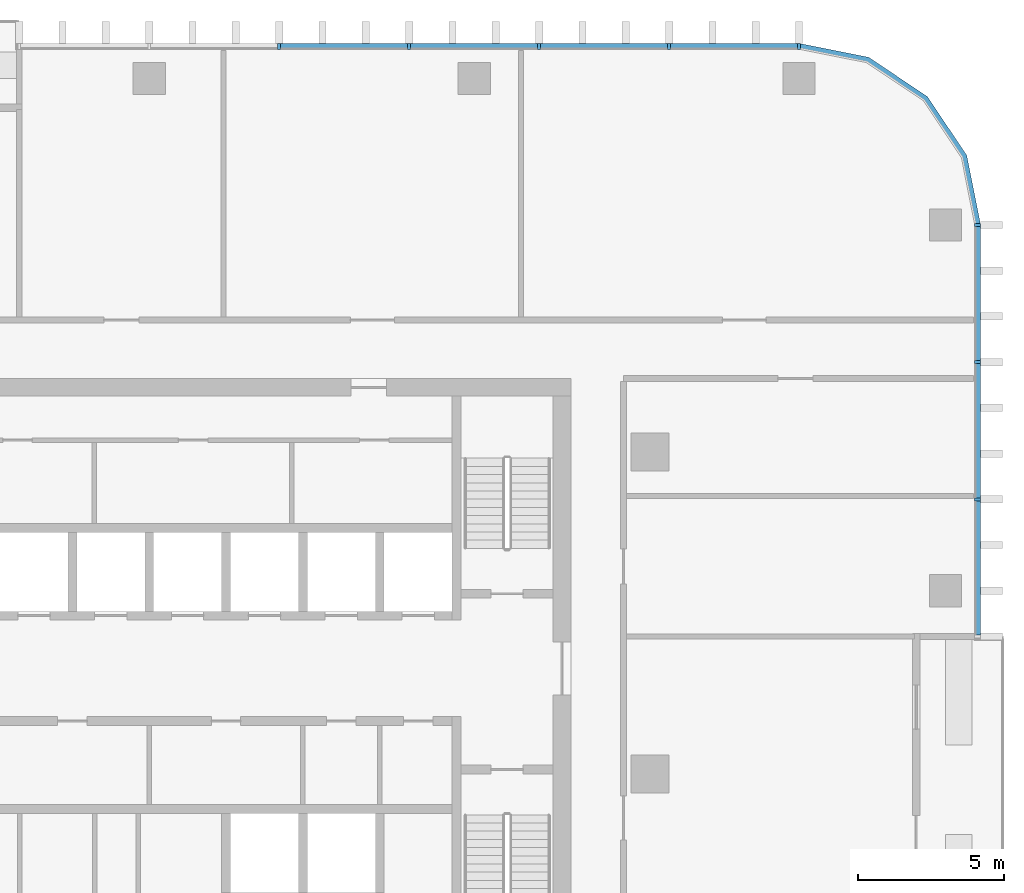
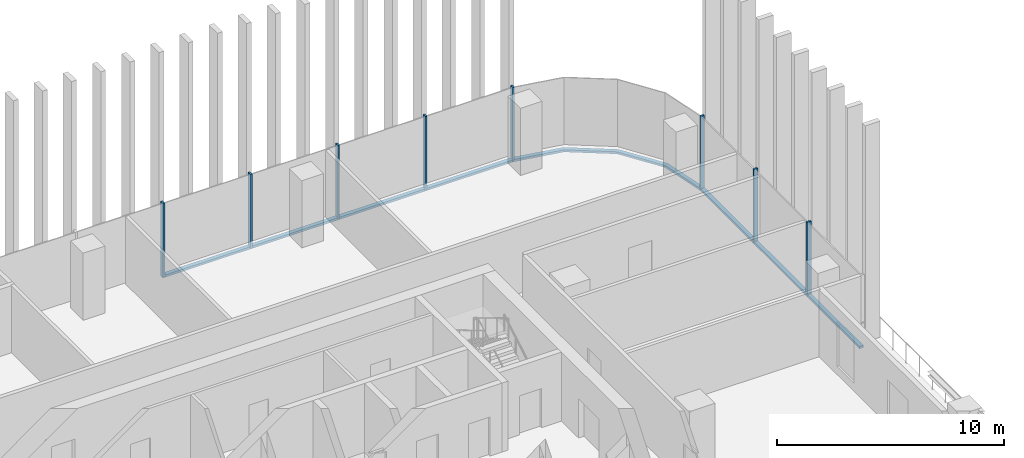
# One storey, part 5 of 15: 16 members, 3 elements without a shape of their own.
"""IFC4 building model written with IfcOpenShell, lengths in metres."""

from ifc_helpers import new_model, si_unit, direction, frame, origin, origin_2d, place, context, subcontext, project, spatial, polyline, rectangle, outline, extrude, material, material_profile, profile_set, type_object, element, aggregate, save


model = new_model("IFC4")

# Units and contexts
model_context = context("Model", 3, precision=1e-05, world=origin(), true_north=direction((0.0, 1.0)))
body_context = subcontext(model_context, "Body", "Model", "MODEL_VIEW")
ifc_project = project(units=[si_unit("LENGTHUNIT", "METRE"), si_unit("AREAUNIT", "SQUARE_METRE"), si_unit("VOLUMEUNIT", "CUBIC_METRE"), si_unit("PLANEANGLEUNIT", "RADIAN"), si_unit("MASSUNIT", "GRAM", prefix="KILO")], contexts=[model_context])

# Site, building, storey
site_placement = place(None, origin())
site = spatial("IfcSite", under=ifc_project, at=site_placement, CompositionType="ELEMENT")
building_placement = place(site_placement, origin())
building = spatial("IfcBuilding", under=site, at=building_placement, Name="Mopane Tessera Tower", CompositionType="ELEMENT")
storey_placement = place(building_placement, frame((0.0, 0.0, 211.0)))
storey = spatial("IfcBuildingStorey", under=building, at=storey_placement, Name="L44", CompositionType="ELEMENT", Elevation=211.0)

# Curtain wall, members
ifc_material_1 = material(Name="Aluminium frame", Category="aluminium")
curtain_wall_type = type_object("IfcCurtainWallType", Name="Unitised curtain wall", PredefinedType="NOTDEFINED", material=ifc_material_1)
curtain_wall_1_placement = place(storey_placement, origin())
curtain_wall_1 = element("IfcCurtainWall", 1, at=curtain_wall_1_placement, inside=storey, type_object=curtain_wall_type, Name="e:cw:L44:E:5", PredefinedType="NOTDEFINED")
ifc_material_2 = material(Name="Aluminium frame", Category="aluminium")
ifc_material_profile_1 = material_profile(ifc_material_2, rectangle(XDim=0.10009765625, YDim=0.199951171875, at=origin_2d()))
ifc_profile_set_1 = profile_set([ifc_material_profile_1], Name="Aluminium frame")
member_type_1 = type_object("IfcMemberType", Name="Aluminium mullion 100 x 200", PredefinedType="MULLION", material=ifc_profile_set_1)
member_1_placement = place(storey_placement, frame((28.300048828125, 9.375, -0.39990234375), z_axis=(0.0, 0.0, 1.0), x_axis=(0.0, 1.0, 0.0)))
member_1 = element("IfcMember", 2, at=member_1_placement, type_object=member_type_1, Name="e:cw:L44:E:5:mu6", PredefinedType="MULLION", context=body_context, shape_type="SweptSolid", body=[
    extrude(rectangle(XDim=0.10009765625, YDim=0.199951171875, at=origin_2d()), origin(), (0.0, 0.0, 1.0), 4.0),
])
member_2_placement = place(storey_placement, frame((28.300048828125, 14.0625, -0.39990234375), z_axis=(0.0, 0.0, 1.0), x_axis=(0.0, 1.0, 0.0)))
member_2 = element("IfcMember", 3, at=member_2_placement, type_object=member_type_1, Name="e:cw:L44:E:5:mu7", PredefinedType="MULLION", context=body_context, shape_type="SweptSolid", body=[
    extrude(rectangle(XDim=0.10009765625, YDim=0.199951171875, at=origin_2d()), origin(), (0.0, 0.0, 1.0), 4.0),
])
member_3_placement = place(storey_placement, frame((28.300048828125, 18.75, -0.39990234375), z_axis=(0.0, 0.0, 1.0), x_axis=(0.0, 1.0, 0.0)))
member_3 = element("IfcMember", 4, at=member_3_placement, type_object=member_type_1, Name="e:cw:L44:E:5:mu8", PredefinedType="MULLION", context=body_context, shape_type="SweptSolid", body=[
    extrude(rectangle(XDim=0.10009765625, YDim=0.199951171875, at=origin_2d()), origin(), (0.0, 0.0, 1.0), 4.0),
])

curtain_wall_2_placement = place(storey_placement, origin())
curtain_wall_2 = element("IfcCurtainWall", 5, at=curtain_wall_2_placement, inside=storey, type_object=curtain_wall_type, Name="e:cw:L44:N:0", PredefinedType="NOTDEFINED")
member_4_placement = place(storey_placement, frame((22.199951171875, 24.85009765625, -0.39990234375), z_axis=(0.0, 0.0, 1.0), x_axis=(-1.0, 0.0, 0.0)))
member_4 = element("IfcMember", 6, at=member_4_placement, type_object=member_type_1, Name="e:cw:L44:N:0:mu0", PredefinedType="MULLION", context=body_context, shape_type="SweptSolid", body=[
    extrude(rectangle(XDim=0.10009765625, YDim=0.199951171875, at=origin_2d()), origin(), (0.0, 0.0, 1.0), 4.0),
])
member_5_placement = place(storey_placement, frame((17.760009765625, 24.85009765625, -0.39990234375), z_axis=(0.0, 0.0, 1.0), x_axis=(-1.0, 0.0, 0.0)))
member_5 = element("IfcMember", 7, at=member_5_placement, type_object=member_type_1, Name="e:cw:L44:N:0:mu1", PredefinedType="MULLION", context=body_context, shape_type="SweptSolid", body=[
    extrude(rectangle(XDim=0.10009765625, YDim=0.199951171875, at=origin_2d()), origin(), (0.0, 0.0, 1.0), 4.0),
])
member_6_placement = place(storey_placement, frame((13.320068359375, 24.85009765625, -0.39990234375), z_axis=(0.0, 0.0, 1.0), x_axis=(-1.0, 0.0, 0.0)))
member_6 = element("IfcMember", 8, at=member_6_placement, type_object=member_type_1, Name="e:cw:L44:N:0:mu2", PredefinedType="MULLION", context=body_context, shape_type="SweptSolid", body=[
    extrude(rectangle(XDim=0.10009765625, YDim=0.199951171875, at=origin_2d()), origin(), (0.0, 0.0, 1.0), 4.0),
])
member_7_placement = place(storey_placement, frame((8.8798828125, 24.85009765625, -0.39990234375), z_axis=(0.0, 0.0, 1.0), x_axis=(-1.0, 0.0, 0.0)))
member_7 = element("IfcMember", 9, at=member_7_placement, type_object=member_type_1, Name="e:cw:L44:N:0:mu3", PredefinedType="MULLION", context=body_context, shape_type="SweptSolid", body=[
    extrude(rectangle(XDim=0.10009765625, YDim=0.199951171875, at=origin_2d()), origin(), (0.0, 0.0, 1.0), 4.0),
])
member_8_placement = place(storey_placement, frame((4.43994140625, 24.85009765625, -0.39990234375), z_axis=(0.0, 0.0, 1.0), x_axis=(-1.0, 0.0, 0.0)))
member_8 = element("IfcMember", 10, at=member_8_placement, type_object=member_type_1, Name="e:cw:L44:N:0:mu4", PredefinedType="MULLION", context=body_context, shape_type="SweptSolid", body=[
    extrude(rectangle(XDim=0.10009765625, YDim=0.199951171875, at=origin_2d()), origin(), (0.0, 0.0, 1.0), 4.0),
])

# Member
ifc_material_3 = material(Name="Aluminium frame", Category="aluminium")
ifc_material_profile_2 = material_profile(ifc_material_3, rectangle(XDim=0.199951171875, YDim=0.1201171875, at=origin_2d()))
ifc_profile_set_2 = profile_set([ifc_material_profile_2], Name="Aluminium frame")
member_type_2 = type_object("IfcMemberType", Name="Aluminium transom 200 x 120", PredefinedType="USERDEFINED", material=ifc_profile_set_2)
member_9_placement = place(storey_placement, frame((28.300048828125, 4.737548828125, -0.340087890625), z_axis=(0.0, 1.0, 0.0), x_axis=(-1.0, 0.0, 0.0)))
member_9 = element("IfcMember", 11, at=member_9_placement, type_object=member_type_2, Name="e:cw:L44:E:5:tr5", ObjectType="TRANSOM", PredefinedType="USERDEFINED", context=body_context, shape_type="SweptSolid", body=[
    extrude(rectangle(XDim=0.199951171875, YDim=0.1201171875, at=origin_2d()), origin(), (0.0, 0.0, 1.0), 4.58740234375),
])

member_10_placement = place(storey_placement, frame((28.300048828125, 9.425048828125, -0.340087890625), z_axis=(0.0, 1.0, 0.0), x_axis=(-1.0, 0.0, 0.0)))
member_10 = element("IfcMember", 12, at=member_10_placement, type_object=member_type_2, Name="e:cw:L44:E:5:tr6", ObjectType="TRANSOM", PredefinedType="USERDEFINED", context=body_context, shape_type="SweptSolid", body=[
    extrude(rectangle(XDim=0.199951171875, YDim=0.1201171875, at=origin_2d()), origin(), (0.0, 0.0, 1.0), 4.58740234375),
])

member_11_placement = place(storey_placement, frame((28.300048828125, 14.112548828125, -0.340087890625), z_axis=(0.0, 1.0, 0.0), x_axis=(-1.0, 0.0, 0.0)))
member_11 = element("IfcMember", 13, at=member_11_placement, type_object=member_type_2, Name="e:cw:L44:E:5:tr7", ObjectType="TRANSOM", PredefinedType="USERDEFINED", context=body_context, shape_type="SweptSolid", body=[
    extrude(rectangle(XDim=0.199951171875, YDim=0.1201171875, at=origin_2d()), origin(), (0.0, 0.0, 1.0), 4.58740234375),
])

aggregate(curtain_wall_1, [member_1, member_2, member_3, member_9, member_10, member_11])

# Curtain wall, member
curtain_wall_3_placement = place(storey_placement, origin())
curtain_wall_3 = element("IfcCurtainWall", 14, at=curtain_wall_3_placement, inside=storey, type_object=curtain_wall_type, Name="e:cw:L44:CE", PredefinedType="NOTDEFINED")
member_12_placement = place(storey_placement, frame((0.0, 0.0, -0.39990234375)))
member_12 = element("IfcMember", 15, at=member_12_placement, type_object=member_type_2, Name="e:cw:L44:CE:tr", ObjectType="TRANSOM", PredefinedType="USERDEFINED", context=body_context, shape_type="SweptSolid", body=[
    extrude(outline(polyline([(28.199951171875, 18.75), (27.7431640625, 21.046142578125), (26.442626953125, 22.99267578125), (24.49609375, 24.293212890625), (22.199951171875, 24.75), (22.199951171875, 24.949951171875), (24.57275390625, 24.47802734375), (26.583984375, 23.134033203125), (27.927978515625, 21.12255859375), (28.39990234375, 18.75), (28.199951171875, 18.75)])), origin(), (0.0, 0.0, 1.0), 0.119873046875),
])
aggregate(curtain_wall_3, [member_12])

# Member
member_13_placement = place(storey_placement, frame((22.14990234375, 24.85009765625, -0.340087890625), z_axis=(-1.0, 0.0, 0.0), x_axis=(0.0, -1.0, 0.0)))
member_13 = element("IfcMember", 16, at=member_13_placement, type_object=member_type_2, Name="e:cw:L44:N:0:tr0", ObjectType="TRANSOM", PredefinedType="USERDEFINED", context=body_context, shape_type="SweptSolid", body=[
    extrude(rectangle(XDim=0.199951171875, YDim=0.1201171875, at=origin_2d()), origin(), (0.0, 0.0, 1.0), 4.33984375),
])

member_14_placement = place(storey_placement, frame((17.7099609375, 24.85009765625, -0.340087890625), z_axis=(-1.0, 0.0, 0.0), x_axis=(0.0, -1.0, 0.0)))
member_14 = element("IfcMember", 17, at=member_14_placement, type_object=member_type_2, Name="e:cw:L44:N:0:tr1", ObjectType="TRANSOM", PredefinedType="USERDEFINED", context=body_context, shape_type="SweptSolid", body=[
    extrude(rectangle(XDim=0.199951171875, YDim=0.1201171875, at=origin_2d()), origin(), (0.0, 0.0, 1.0), 4.33984375),
])

member_15_placement = place(storey_placement, frame((13.27001953125, 24.85009765625, -0.340087890625), z_axis=(-1.0, 0.0, 0.0), x_axis=(0.0, -1.0, 0.0)))
member_15 = element("IfcMember", 18, at=member_15_placement, type_object=member_type_2, Name="e:cw:L44:N:0:tr2", ObjectType="TRANSOM", PredefinedType="USERDEFINED", context=body_context, shape_type="SweptSolid", body=[
    extrude(rectangle(XDim=0.199951171875, YDim=0.1201171875, at=origin_2d()), origin(), (0.0, 0.0, 1.0), 4.340087890625),
])

member_16_placement = place(storey_placement, frame((8.830078125, 24.85009765625, -0.340087890625), z_axis=(-1.0, 0.0, 0.0), x_axis=(0.0, -1.0, 0.0)))
member_16 = element("IfcMember", 19, at=member_16_placement, type_object=member_type_2, Name="e:cw:L44:N:0:tr3", ObjectType="TRANSOM", PredefinedType="USERDEFINED", context=body_context, shape_type="SweptSolid", body=[
    extrude(rectangle(XDim=0.199951171875, YDim=0.1201171875, at=origin_2d()), origin(), (0.0, 0.0, 1.0), 4.340087890625),
])

aggregate(curtain_wall_2, [member_4, member_5, member_6, member_7, member_8, member_13, member_14, member_15, member_16])

save(model, "model.ifc")
